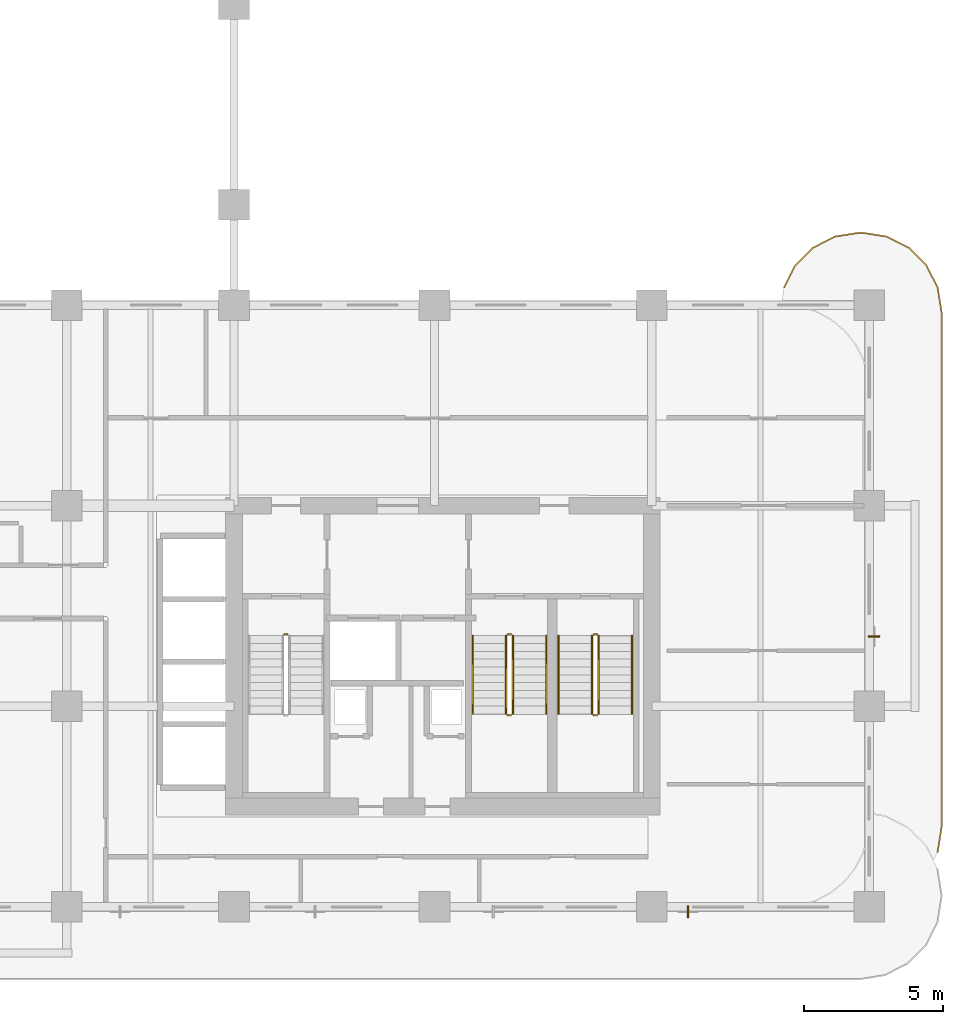
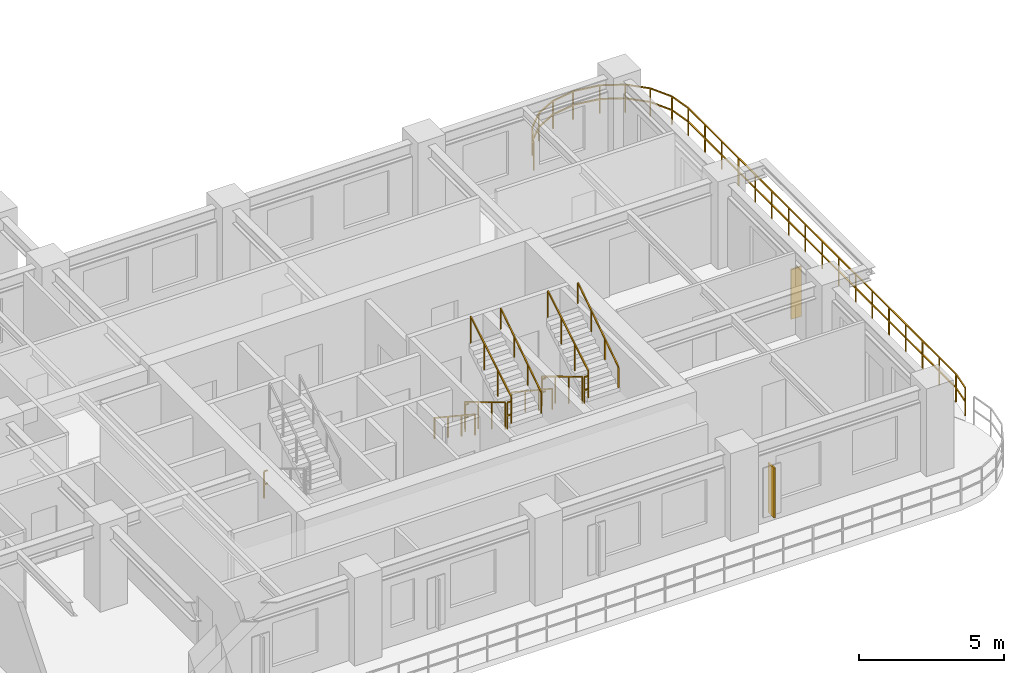
# One storey, part 17 of 19: 14 railings, 2 shading devices.
"""IFC4 building model written with IfcOpenShell, lengths in metres."""

from ifc_helpers import new_model, si_unit, derived_unit, direction, frame, origin, origin_2d, place, context, subcontext, project, spatial, rectangle, extrude, source, transform, mapped, material, layer, layer_set, type_object, type_shapes, element, save


model = new_model("IFC4")

# Units and contexts
model_context = context("Model", 3, precision=1e-05, world=origin(), true_north=direction((0.0, 1.0)))
body_context = subcontext(model_context, "Body", "Model", "MODEL_VIEW")
ifc_project = project(units=[si_unit("LENGTHUNIT", "METRE"), si_unit("AREAUNIT", "SQUARE_METRE"), si_unit("VOLUMEUNIT", "CUBIC_METRE"), si_unit("PLANEANGLEUNIT", "RADIAN"), si_unit("MASSUNIT", "GRAM", prefix="KILO"), si_unit("THERMODYNAMICTEMPERATUREUNIT", "KELVIN"), si_unit("POWERUNIT", "WATT"), derived_unit("THERMALTRANSMITTANCEUNIT", [(si_unit("POWERUNIT", "WATT"), 1), (si_unit("AREAUNIT", "SQUARE_METRE"), -1), (si_unit("THERMODYNAMICTEMPERATUREUNIT", "KELVIN"), -1)])], contexts=[model_context])

# Site, building, storey
site_placement = place(None, origin())
site = spatial("IfcSite", under=ifc_project, at=site_placement, CompositionType="ELEMENT")
building_placement = place(site_placement, origin())
building = spatial("IfcBuilding", under=site, at=building_placement, Name="Zahravan Archway Hotel and Residences", CompositionType="ELEMENT")
storey_placement = place(building_placement, frame((0.0, 0.0, 54.60009765625)))
storey = spatial("IfcBuildingStorey", under=building, at=storey_placement, Name="L12", CompositionType="ELEMENT", Elevation=54.60009765625)

# Railings
ifc_material_1 = material(Name="Bronze & Laminated Glass Balustrade", Category="glass")
railing_type_1 = type_object("IfcRailingType", Name="RL-BAL-1200", PredefinedType="BALUSTRADE", material=ifc_material_1)
railing_1_placement = place(storey_placement, frame((54.53955078125, 22.230712890625, 0.0)))
element("IfcRailing", 1, at=railing_1_placement, inside=storey, type_object=railing_type_1, Name="L12 Balustrade RL-SLB-BAL-L12-EA-1", PredefinedType="BALUSTRADE", context=body_context, shape_type="SweptSolid", body=[
    extrude(rectangle(XDim=0.048095703125, YDim=0.048095703125, at=origin_2d()), frame((0.0, 0.0, 1.17578125), z_axis=(0.453991409995, 0.891006060389, 0.0), x_axis=(-0.891006060389, 0.453991409995, 0.0)), (0.0, 0.0, 1.0), 0.8916015625),
    extrude(rectangle(XDim=0.048095703125, YDim=0.048095703125, at=origin_2d()), frame((0.0, 0.0, 0.60009765625), z_axis=(0.453991409995, 0.891006060389, 0.0), x_axis=(-0.891006060389, 0.453991409995, 0.0)), (0.0, 0.0, 1.0), 0.8916015625),
    extrude(rectangle(XDim=0.048095703125, YDim=0.048095703125, at=origin_2d()), frame((0.40478515625, 0.79443359375, 1.17578125), z_axis=(0.706969864397, 0.70724367147, 0.0), x_axis=(-0.70724367147, 0.706969864397, 0.0)), (0.0, 0.0, 1.0), 0.8916015625),
    extrude(rectangle(XDim=0.048095703125, YDim=0.048095703125, at=origin_2d()), frame((0.40478515625, 0.79443359375, 0.60009765625), z_axis=(0.706969864397, 0.70724367147, 0.0), x_axis=(-0.70724367147, 0.706969864397, 0.0)), (0.0, 0.0, 1.0), 0.8916015625),
    extrude(rectangle(XDim=0.048095703125, YDim=0.048095703125, at=origin_2d()), frame((1.03515625, 1.425048828125, 1.17578125), z_axis=(0.891062476022, 0.45388067135, 0.0), x_axis=(-0.45388067135, 0.891062476022, 0.0)), (0.0, 0.0, 1.0), 0.891845703125),
    extrude(rectangle(XDim=0.048095703125, YDim=0.048095703125, at=origin_2d()), frame((1.03515625, 1.425048828125, 0.60009765625), z_axis=(0.891062476022, 0.45388067135, 0.0), x_axis=(-0.45388067135, 0.891062476022, 0.0)), (0.0, 0.0, 1.0), 0.891845703125),
    extrude(rectangle(XDim=0.048095703125, YDim=0.048095703125, at=origin_2d()), frame((1.829833984375, 1.829833984375, 1.17578125), z_axis=(0.987700720307, 0.156356282588, 0.0), x_axis=(-0.156356282588, 0.987700720307, 0.0)), (0.0, 0.0, 1.0), 0.8916015625),
    extrude(rectangle(XDim=0.048095703125, YDim=0.048095703125, at=origin_2d()), frame((1.829833984375, 1.829833984375, 0.60009765625), z_axis=(0.987700720307, 0.156356282588, 0.0), x_axis=(-0.156356282588, 0.987700720307, 0.0)), (0.0, 0.0, 1.0), 0.8916015625),
    extrude(rectangle(XDim=0.048095703125, YDim=0.048095703125, at=origin_2d()), frame((2.71044921875, 1.96923828125, 1.17578125), z_axis=(1.0, 0.0, 0.0), x_axis=(0.0, 1.0, 0.0)), (0.0, 0.0, 1.0), 0.10009765625),
    extrude(rectangle(XDim=0.048095703125, YDim=0.048095703125, at=origin_2d()), frame((2.71044921875, 1.96923828125, 0.60009765625), z_axis=(1.0, 0.0, 0.0), x_axis=(0.0, 1.0, 0.0)), (0.0, 0.0, 1.0), 0.10009765625),
    extrude(rectangle(XDim=0.048095703125, YDim=0.048095703125, at=origin_2d()), frame((2.810546875, 1.96923828125, 1.17578125), z_axis=(0.987700720307, -0.156356282588, 0.0), x_axis=(0.156356282588, 0.987700720307, 0.0)), (0.0, 0.0, 1.0), 0.8916015625),
    extrude(rectangle(XDim=0.048095703125, YDim=0.048095703125, at=origin_2d()), frame((2.810546875, 1.96923828125, 0.60009765625), z_axis=(0.987700720307, -0.156356282588, 0.0), x_axis=(0.156356282588, 0.987700720307, 0.0)), (0.0, 0.0, 1.0), 0.8916015625),
    extrude(rectangle(XDim=0.048095703125, YDim=0.048095703125, at=origin_2d()), frame((3.691162109375, 1.829833984375, 1.17578125), z_axis=(0.891006060389, -0.453991409995, 0.0), x_axis=(0.453991409995, 0.891006060389, 0.0)), (0.0, 0.0, 1.0), 0.8916015625),
    extrude(rectangle(XDim=0.048095703125, YDim=0.048095703125, at=origin_2d()), frame((3.691162109375, 1.829833984375, 0.60009765625), z_axis=(0.891006060389, -0.453991409995, 0.0), x_axis=(0.453991409995, 0.891006060389, 0.0)), (0.0, 0.0, 1.0), 0.8916015625),
    extrude(rectangle(XDim=0.048095703125, YDim=0.048095703125, at=origin_2d()), frame((4.485595703125, 1.425048828125, 1.17578125), z_axis=(0.707106781187, -0.707106781187, 0.0), x_axis=(0.707106781187, 0.707106781187, 0.0)), (0.0, 0.0, 1.0), 0.891845703125),
    extrude(rectangle(XDim=0.048095703125, YDim=0.048095703125, at=origin_2d()), frame((4.485595703125, 1.425048828125, 0.60009765625), z_axis=(0.707106781187, -0.707106781187, 0.0), x_axis=(0.707106781187, 0.707106781187, 0.0)), (0.0, 0.0, 1.0), 0.891845703125),
    extrude(rectangle(XDim=0.048095703125, YDim=0.048095703125, at=origin_2d()), frame((5.1162109375, 0.79443359375, 1.17578125), z_axis=(0.453991409995, -0.891006060389, 0.0), x_axis=(0.891006060389, 0.453991409995, 0.0)), (0.0, 0.0, 1.0), 0.8916015625),
    extrude(rectangle(XDim=0.048095703125, YDim=0.048095703125, at=origin_2d()), frame((5.1162109375, 0.79443359375, 0.60009765625), z_axis=(0.453991409995, -0.891006060389, 0.0), x_axis=(0.891006060389, 0.453991409995, 0.0)), (0.0, 0.0, 1.0), 0.8916015625),
    extrude(rectangle(XDim=0.048095703125, YDim=0.048095703125, at=origin_2d()), frame((5.52099609375, 0.0, 1.17578125), z_axis=(0.156356282588, -0.987700720307, 0.0), x_axis=(0.987700720307, 0.156356282588, 0.0)), (0.0, 0.0, 1.0), 0.8916015625),
    extrude(rectangle(XDim=0.048095703125, YDim=0.048095703125, at=origin_2d()), frame((5.52099609375, 0.0, 0.60009765625), z_axis=(0.156356282588, -0.987700720307, 0.0), x_axis=(0.987700720307, 0.156356282588, 0.0)), (0.0, 0.0, 1.0), 0.8916015625),
    extrude(rectangle(XDim=0.048095703125, YDim=0.048095703125, at=origin_2d()), frame((5.660400390625, -0.880615234375, 1.17578125), z_axis=(0.0, -1.0, 0.0), x_axis=(1.0, 0.0, 0.0)), (0.0, 0.0, 1.0), 18.5),
    extrude(rectangle(XDim=0.048095703125, YDim=0.048095703125, at=origin_2d()), frame((5.660400390625, -0.880615234375, 0.60009765625), z_axis=(0.0, -1.0, 0.0), x_axis=(1.0, 0.0, 0.0)), (0.0, 0.0, 1.0), 18.5),
    extrude(rectangle(XDim=0.048095703125, YDim=0.048095703125, at=origin_2d()), frame((5.660400390625, -19.380615234375, 1.17578125), z_axis=(-0.156314005608, -0.987707411965, 0.0), x_axis=(0.987707411965, -0.156314005608, 0.0)), (0.0, 0.0, 1.0), 0.891845703125),
    extrude(rectangle(XDim=0.048095703125, YDim=0.048095703125, at=origin_2d()), frame((5.660400390625, -19.380615234375, 0.60009765625), z_axis=(-0.156314005608, -0.987707411965, 0.0), x_axis=(0.987707411965, -0.156314005608, 0.0)), (0.0, 0.0, 1.0), 0.891845703125),
    extrude(rectangle(XDim=0.0419921875, YDim=0.0419921875, at=origin_2d()), origin(), (0.0, 0.0, 1.0), 1.15185546875),
    extrude(rectangle(XDim=0.0419921875, YDim=0.0419921875, at=origin_2d()), frame((0.40478515625, 0.79443359375, 0.0)), (0.0, 0.0, 1.0), 1.15185546875),
    extrude(rectangle(XDim=0.0419921875, YDim=0.0419921875, at=origin_2d()), frame((1.03515625, 1.425048828125, 0.0)), (0.0, 0.0, 1.0), 1.15185546875),
    extrude(rectangle(XDim=0.0419921875, YDim=0.0419921875, at=origin_2d()), frame((1.829833984375, 1.829833984375, 0.0)), (0.0, 0.0, 1.0), 1.15185546875),
    extrude(rectangle(XDim=0.0419921875, YDim=0.0419921875, at=origin_2d()), frame((2.71044921875, 1.96923828125, 0.0)), (0.0, 0.0, 1.0), 1.15185546875),
    extrude(rectangle(XDim=0.0419921875, YDim=0.0419921875, at=origin_2d()), frame((3.691162109375, 1.829833984375, 0.0)), (0.0, 0.0, 1.0), 1.15185546875),
    extrude(rectangle(XDim=0.0419921875, YDim=0.0419921875, at=origin_2d()), frame((4.485595703125, 1.425048828125, 0.0)), (0.0, 0.0, 1.0), 1.15185546875),
    extrude(rectangle(XDim=0.0419921875, YDim=0.0419921875, at=origin_2d()), frame((5.1162109375, 0.79443359375, 0.0)), (0.0, 0.0, 1.0), 1.15185546875),
    extrude(rectangle(XDim=0.0419921875, YDim=0.0419921875, at=origin_2d()), frame((5.52099609375, 0.0, 0.0)), (0.0, 0.0, 1.0), 1.15185546875),
    extrude(rectangle(XDim=0.0419921875, YDim=0.0419921875, at=origin_2d()), frame((5.660400390625, -0.880615234375, 0.0)), (0.0, 0.0, 1.0), 1.15185546875),
    extrude(rectangle(XDim=0.0419921875, YDim=0.0419921875, at=origin_2d()), frame((5.660400390625, -2.036865234375, 0.0)), (0.0, 0.0, 1.0), 1.15185546875),
    extrude(rectangle(XDim=0.0419921875, YDim=0.0419921875, at=origin_2d()), frame((5.660400390625, -3.193115234375, 0.0)), (0.0, 0.0, 1.0), 1.15185546875),
    extrude(rectangle(XDim=0.0419921875, YDim=0.0419921875, at=origin_2d()), frame((5.660400390625, -4.349365234375, 0.0)), (0.0, 0.0, 1.0), 1.15185546875),
    extrude(rectangle(XDim=0.0419921875, YDim=0.0419921875, at=origin_2d()), frame((5.660400390625, -5.505615234375, 0.0)), (0.0, 0.0, 1.0), 1.15185546875),
    extrude(rectangle(XDim=0.0419921875, YDim=0.0419921875, at=origin_2d()), frame((5.660400390625, -6.661865234375, 0.0)), (0.0, 0.0, 1.0), 1.15185546875),
    extrude(rectangle(XDim=0.0419921875, YDim=0.0419921875, at=origin_2d()), frame((5.660400390625, -7.818115234375, 0.0)), (0.0, 0.0, 1.0), 1.15185546875),
    extrude(rectangle(XDim=0.0419921875, YDim=0.0419921875, at=origin_2d()), frame((5.660400390625, -8.974365234375, 0.0)), (0.0, 0.0, 1.0), 1.15185546875),
    extrude(rectangle(XDim=0.0419921875, YDim=0.0419921875, at=origin_2d()), frame((5.660400390625, -10.130615234375, 0.0)), (0.0, 0.0, 1.0), 1.15185546875),
    extrude(rectangle(XDim=0.0419921875, YDim=0.0419921875, at=origin_2d()), frame((5.660400390625, -11.286865234375, 0.0)), (0.0, 0.0, 1.0), 1.15185546875),
    extrude(rectangle(XDim=0.0419921875, YDim=0.0419921875, at=origin_2d()), frame((5.660400390625, -12.443115234375, 0.0)), (0.0, 0.0, 1.0), 1.15185546875),
    extrude(rectangle(XDim=0.0419921875, YDim=0.0419921875, at=origin_2d()), frame((5.660400390625, -13.599365234375, 0.0)), (0.0, 0.0, 1.0), 1.15185546875),
    extrude(rectangle(XDim=0.0419921875, YDim=0.0419921875, at=origin_2d()), frame((5.660400390625, -14.755615234375, 0.0)), (0.0, 0.0, 1.0), 1.15185546875),
    extrude(rectangle(XDim=0.0419921875, YDim=0.0419921875, at=origin_2d()), frame((5.660400390625, -15.911865234375, 0.0)), (0.0, 0.0, 1.0), 1.15185546875),
    extrude(rectangle(XDim=0.0419921875, YDim=0.0419921875, at=origin_2d()), frame((5.660400390625, -17.068115234375, 0.0)), (0.0, 0.0, 1.0), 1.15185546875),
    extrude(rectangle(XDim=0.0419921875, YDim=0.0419921875, at=origin_2d()), frame((5.660400390625, -18.224365234375, 0.0)), (0.0, 0.0, 1.0), 1.15185546875),
    extrude(rectangle(XDim=0.0419921875, YDim=0.0419921875, at=origin_2d()), frame((5.660400390625, -19.380615234375, 0.0)), (0.0, 0.0, 1.0), 1.15185546875),
    extrude(rectangle(XDim=0.0419921875, YDim=0.0419921875, at=origin_2d()), frame((5.52099609375, -20.261474609375, 0.0)), (0.0, 0.0, 1.0), 1.15185546875),
])
ifc_material_2 = material(Name="Painted Tubular Steel", Category="steel")
railing_type_2 = type_object("IfcRailingType", Name="RL-STG-1150", PredefinedType="GUARDRAIL", material=ifc_material_2)
railing_2_placement = place(storey_placement, frame((36.60009765625, 9.780029296875, 0.0)))
element("IfcRailing", 2, at=railing_2_placement, inside=storey, type_object=railing_type_2, Name="L12 ST-A1 stair guard 4", PredefinedType="GUARDRAIL", context=body_context, shape_type="SweptSolid", body=[
    extrude(rectangle(XDim=0.048095703125, YDim=0.048095703125, at=origin_2d()), frame((0.0, 0.0, 1.1259765625), z_axis=(1.0, 0.0, 0.0), x_axis=(0.0, 1.0, 0.0)), (0.0, 0.0, 1.0), 0.139892578125),
    extrude(rectangle(XDim=0.048095703125, YDim=0.048095703125, at=origin_2d()), frame((0.0, 0.0, 0.574951171875), z_axis=(1.0, 0.0, 0.0), x_axis=(0.0, 1.0, 0.0)), (0.0, 0.0, 1.0), 0.139892578125),
    extrude(rectangle(XDim=0.0419921875, YDim=0.0419921875, at=origin_2d()), origin(), (0.0, 0.0, 1.0), 1.101806640625),
])
railing_3_placement = place(storey_placement, frame((44.570068359375, 9.72998046875, 0.16796875)))
element("IfcRailing", 3, at=railing_3_placement, inside=storey, type_object=railing_type_2, Name="L12 ST-A2 stair guard 1", PredefinedType="GUARDRAIL", context=body_context, shape_type="SweptSolid", body=[
    extrude(rectangle(XDim=0.048095703125, YDim=0.048095703125, at=origin_2d()), frame((0.0, 0.0, 1.1259765625), z_axis=(0.0, -0.857242210791, 0.514913383045), x_axis=(1.0, 0.0, 0.0)), (0.0, 0.0, 1.0), 3.266357421875),
    extrude(rectangle(XDim=0.0419921875, YDim=0.0419921875, at=origin_2d()), origin(), (0.0, 0.0, 1.0), 1.101806640625),
    extrude(rectangle(XDim=0.0419921875, YDim=0.0419921875, at=origin_2d()), frame((0.0, -0.933349609375, 0.560546875)), (0.0, 0.0, 1.0), 1.101806640625),
    extrude(rectangle(XDim=0.0419921875, YDim=0.0419921875, at=origin_2d()), frame((0.0, -1.86669921875, 1.121337890625)), (0.0, 0.0, 1.0), 1.101806640625),
    extrude(rectangle(XDim=0.0419921875, YDim=0.0419921875, at=origin_2d()), frame((0.0, -2.800048828125, 1.681884765625)), (0.0, 0.0, 1.0), 1.101806640625),
])
railing_4_placement = place(storey_placement, frame((44.6201171875, 6.8798828125, 1.849853515625)))
element("IfcRailing", 4, at=railing_4_placement, inside=storey, type_object=railing_type_2, Name="L12 ST-A2 stair guard 2", PredefinedType="GUARDRAIL", context=body_context, shape_type="SweptSolid", body=[
    extrude(rectangle(XDim=0.048095703125, YDim=0.048095703125, at=origin_2d()), frame((0.0, 0.0, 1.1259765625), z_axis=(1.0, 0.0, 0.0), x_axis=(0.0, 1.0, 0.0)), (0.0, 0.0, 1.0), 0.139892578125),
    extrude(rectangle(XDim=0.048095703125, YDim=0.048095703125, at=origin_2d()), frame((0.0, 0.0, 0.574951171875), z_axis=(1.0, 0.0, 0.0), x_axis=(0.0, 1.0, 0.0)), (0.0, 0.0, 1.0), 0.139892578125),
    extrude(rectangle(XDim=0.0419921875, YDim=0.0419921875, at=origin_2d()), origin(), (0.0, 0.0, 1.0), 1.101806640625),
])
railing_5_placement = place(storey_placement, frame((44.81005859375, 6.929931640625, 2.01806640625)))
element("IfcRailing", 5, at=railing_5_placement, inside=storey, type_object=railing_type_2, Name="L12 ST-A2 stair guard 3", PredefinedType="GUARDRAIL", context=body_context, shape_type="SweptSolid", body=[
    extrude(rectangle(XDim=0.048095703125, YDim=0.048095703125, at=origin_2d()), frame((0.0, 0.0, 1.1259765625), z_axis=(0.0, 0.857242210791, 0.514913383045), x_axis=(-1.0, 0.0, 0.0)), (0.0, 0.0, 1.0), 3.266357421875),
    extrude(rectangle(XDim=0.0419921875, YDim=0.0419921875, at=origin_2d()), origin(), (0.0, 0.0, 1.0), 1.101806640625),
    extrude(rectangle(XDim=0.0419921875, YDim=0.0419921875, at=origin_2d()), frame((0.0, 0.933349609375, 0.560546875)), (0.0, 0.0, 1.0), 1.101806640625),
    extrude(rectangle(XDim=0.0419921875, YDim=0.0419921875, at=origin_2d()), frame((0.0, 1.86669921875, 1.121337890625)), (0.0, 0.0, 1.0), 1.101806640625),
    extrude(rectangle(XDim=0.0419921875, YDim=0.0419921875, at=origin_2d()), frame((0.0, 2.800048828125, 1.681884765625)), (0.0, 0.0, 1.0), 1.101806640625),
])
railing_6_placement = place(storey_placement, frame((44.6201171875, 9.780029296875, 0.0)))
element("IfcRailing", 6, at=railing_6_placement, inside=storey, type_object=railing_type_2, Name="L12 ST-A2 stair guard 4", PredefinedType="GUARDRAIL", context=body_context, shape_type="SweptSolid", body=[
    extrude(rectangle(XDim=0.048095703125, YDim=0.048095703125, at=origin_2d()), frame((0.0, 0.0, 1.1259765625), z_axis=(1.0, 0.0, 0.0), x_axis=(0.0, 1.0, 0.0)), (0.0, 0.0, 1.0), 0.139892578125),
    extrude(rectangle(XDim=0.048095703125, YDim=0.048095703125, at=origin_2d()), frame((0.0, 0.0, 0.574951171875), z_axis=(1.0, 0.0, 0.0), x_axis=(0.0, 1.0, 0.0)), (0.0, 0.0, 1.0), 0.139892578125),
    extrude(rectangle(XDim=0.0419921875, YDim=0.0419921875, at=origin_2d()), origin(), (0.0, 0.0, 1.0), 1.101806640625),
])
railing_7_placement = place(storey_placement, frame((47.64990234375, 9.72998046875, 0.16796875)))
element("IfcRailing", 7, at=railing_7_placement, inside=storey, type_object=railing_type_2, Name="L12 ST-A3 stair guard 1", PredefinedType="GUARDRAIL", context=body_context, shape_type="SweptSolid", body=[
    extrude(rectangle(XDim=0.048095703125, YDim=0.048095703125, at=origin_2d()), frame((0.0, 0.0, 1.1259765625), z_axis=(0.0, -0.857242210791, 0.514913383045), x_axis=(1.0, 0.0, 0.0)), (0.0, 0.0, 1.0), 3.266357421875),
    extrude(rectangle(XDim=0.0419921875, YDim=0.0419921875, at=origin_2d()), origin(), (0.0, 0.0, 1.0), 1.101806640625),
    extrude(rectangle(XDim=0.0419921875, YDim=0.0419921875, at=origin_2d()), frame((0.0, -0.933349609375, 0.560546875)), (0.0, 0.0, 1.0), 1.101806640625),
    extrude(rectangle(XDim=0.0419921875, YDim=0.0419921875, at=origin_2d()), frame((0.0, -1.86669921875, 1.121337890625)), (0.0, 0.0, 1.0), 1.101806640625),
    extrude(rectangle(XDim=0.0419921875, YDim=0.0419921875, at=origin_2d()), frame((0.0, -2.800048828125, 1.681884765625)), (0.0, 0.0, 1.0), 1.101806640625),
])
railing_8_placement = place(storey_placement, frame((47.699951171875, 6.8798828125, 1.849853515625)))
element("IfcRailing", 8, at=railing_8_placement, inside=storey, type_object=railing_type_2, Name="L12 ST-A3 stair guard 2", PredefinedType="GUARDRAIL", context=body_context, shape_type="SweptSolid", body=[
    extrude(rectangle(XDim=0.048095703125, YDim=0.048095703125, at=origin_2d()), frame((0.0, 0.0, 1.1259765625), z_axis=(1.0, 0.0, 0.0), x_axis=(0.0, 1.0, 0.0)), (0.0, 0.0, 1.0), 0.14013671875),
    extrude(rectangle(XDim=0.048095703125, YDim=0.048095703125, at=origin_2d()), frame((0.0, 0.0, 0.574951171875), z_axis=(1.0, 0.0, 0.0), x_axis=(0.0, 1.0, 0.0)), (0.0, 0.0, 1.0), 0.14013671875),
    extrude(rectangle(XDim=0.0419921875, YDim=0.0419921875, at=origin_2d()), origin(), (0.0, 0.0, 1.0), 1.101806640625),
])
railing_9_placement = place(storey_placement, frame((47.889892578125, 6.929931640625, 2.01806640625)))
element("IfcRailing", 9, at=railing_9_placement, inside=storey, type_object=railing_type_2, Name="L12 ST-A3 stair guard 3", PredefinedType="GUARDRAIL", context=body_context, shape_type="SweptSolid", body=[
    extrude(rectangle(XDim=0.048095703125, YDim=0.048095703125, at=origin_2d()), frame((0.0, 0.0, 1.1259765625), z_axis=(0.0, 0.857242210791, 0.514913383045), x_axis=(-1.0, 0.0, 0.0)), (0.0, 0.0, 1.0), 3.266357421875),
    extrude(rectangle(XDim=0.0419921875, YDim=0.0419921875, at=origin_2d()), origin(), (0.0, 0.0, 1.0), 1.101806640625),
    extrude(rectangle(XDim=0.0419921875, YDim=0.0419921875, at=origin_2d()), frame((0.0, 0.933349609375, 0.560546875)), (0.0, 0.0, 1.0), 1.101806640625),
    extrude(rectangle(XDim=0.0419921875, YDim=0.0419921875, at=origin_2d()), frame((0.0, 1.86669921875, 1.121337890625)), (0.0, 0.0, 1.0), 1.101806640625),
    extrude(rectangle(XDim=0.0419921875, YDim=0.0419921875, at=origin_2d()), frame((0.0, 2.800048828125, 1.681884765625)), (0.0, 0.0, 1.0), 1.101806640625),
])
railing_10_placement = place(storey_placement, frame((47.699951171875, 9.780029296875, 0.0)))
element("IfcRailing", 10, at=railing_10_placement, inside=storey, type_object=railing_type_2, Name="L12 ST-A3 stair guard 4", PredefinedType="GUARDRAIL", context=body_context, shape_type="SweptSolid", body=[
    extrude(rectangle(XDim=0.048095703125, YDim=0.048095703125, at=origin_2d()), frame((0.0, 0.0, 1.1259765625), z_axis=(1.0, 0.0, 0.0), x_axis=(0.0, 1.0, 0.0)), (0.0, 0.0, 1.0), 0.14013671875),
    extrude(rectangle(XDim=0.048095703125, YDim=0.048095703125, at=origin_2d()), frame((0.0, 0.0, 0.574951171875), z_axis=(1.0, 0.0, 0.0), x_axis=(0.0, 1.0, 0.0)), (0.0, 0.0, 1.0), 0.14013671875),
    extrude(rectangle(XDim=0.0419921875, YDim=0.0419921875, at=origin_2d()), origin(), (0.0, 0.0, 1.0), 1.101806640625),
])
ifc_material_3 = material(Name="Brushed Stainless Steel", Category="steel")
railing_type_3 = type_object("IfcRailingType", Name="RL-STH-900", PredefinedType="HANDRAIL", material=ifc_material_3)
railing_11_placement = place(storey_placement, frame((43.3701171875, 9.72998046875, 0.16796875)))
element("IfcRailing", 11, at=railing_11_placement, inside=storey, type_object=railing_type_3, Name="L12 ST-A2 stair handrail 1", PredefinedType="HANDRAIL", context=body_context, shape_type="SweptSolid", body=[
    extrude(rectangle(XDim=0.048095703125, YDim=0.048095703125, at=origin_2d()), frame((0.0, 0.0, 0.8759765625), z_axis=(0.0, -0.834326358476, 0.551270829586), x_axis=(1.0, 0.0, 0.0)), (0.0, 0.0, 1.0), 3.35595703125),
    extrude(rectangle(XDim=0.0419921875, YDim=0.0419921875, at=origin_2d()), origin(), (0.0, 0.0, 1.0), 0.851806640625),
    extrude(rectangle(XDim=0.0419921875, YDim=0.0419921875, at=origin_2d()), frame((0.0, -0.933349609375, 0.61669921875)), (0.0, 0.0, 1.0), 0.851806640625),
    extrude(rectangle(XDim=0.0419921875, YDim=0.0419921875, at=origin_2d()), frame((0.0, -1.86669921875, 1.2333984375)), (0.0, 0.0, 1.0), 0.851806640625),
    extrude(rectangle(XDim=0.0419921875, YDim=0.0419921875, at=origin_2d()), frame((0.0, -2.800048828125, 1.85009765625)), (0.0, 0.0, 1.0), 0.851806640625),
])
railing_12_placement = place(storey_placement, frame((46.010009765625, 6.929931640625, 2.01806640625)))
element("IfcRailing", 12, at=railing_12_placement, inside=storey, type_object=railing_type_3, Name="L12 ST-A2 stair handrail 2", PredefinedType="HANDRAIL", context=body_context, shape_type="SweptSolid", body=[
    extrude(rectangle(XDim=0.048095703125, YDim=0.048095703125, at=origin_2d()), frame((0.0, 0.0, 0.8759765625), z_axis=(0.0, 0.834326358476, 0.551270829586), x_axis=(-1.0, 0.0, 0.0)), (0.0, 0.0, 1.0), 3.35595703125),
    extrude(rectangle(XDim=0.0419921875, YDim=0.0419921875, at=origin_2d()), origin(), (0.0, 0.0, 1.0), 0.851806640625),
    extrude(rectangle(XDim=0.0419921875, YDim=0.0419921875, at=origin_2d()), frame((0.0, 0.933349609375, 0.61669921875)), (0.0, 0.0, 1.0), 0.851806640625),
    extrude(rectangle(XDim=0.0419921875, YDim=0.0419921875, at=origin_2d()), frame((0.0, 1.86669921875, 1.2333984375)), (0.0, 0.0, 1.0), 0.851806640625),
    extrude(rectangle(XDim=0.0419921875, YDim=0.0419921875, at=origin_2d()), frame((0.0, 2.800048828125, 1.85009765625)), (0.0, 0.0, 1.0), 0.851806640625),
])
railing_13_placement = place(storey_placement, frame((46.449951171875, 9.72998046875, 0.16796875)))
element("IfcRailing", 13, at=railing_13_placement, inside=storey, type_object=railing_type_3, Name="L12 ST-A3 stair handrail 1", PredefinedType="HANDRAIL", context=body_context, shape_type="SweptSolid", body=[
    extrude(rectangle(XDim=0.048095703125, YDim=0.048095703125, at=origin_2d()), frame((0.0, 0.0, 0.8759765625), z_axis=(0.0, -0.834326358476, 0.551270829586), x_axis=(1.0, 0.0, 0.0)), (0.0, 0.0, 1.0), 3.35595703125),
    extrude(rectangle(XDim=0.0419921875, YDim=0.0419921875, at=origin_2d()), origin(), (0.0, 0.0, 1.0), 0.851806640625),
    extrude(rectangle(XDim=0.0419921875, YDim=0.0419921875, at=origin_2d()), frame((0.0, -0.933349609375, 0.61669921875)), (0.0, 0.0, 1.0), 0.851806640625),
    extrude(rectangle(XDim=0.0419921875, YDim=0.0419921875, at=origin_2d()), frame((0.0, -1.86669921875, 1.2333984375)), (0.0, 0.0, 1.0), 0.851806640625),
    extrude(rectangle(XDim=0.0419921875, YDim=0.0419921875, at=origin_2d()), frame((0.0, -2.800048828125, 1.85009765625)), (0.0, 0.0, 1.0), 0.851806640625),
])
railing_14_placement = place(storey_placement, frame((49.090087890625, 6.929931640625, 2.01806640625)))
element("IfcRailing", 14, at=railing_14_placement, inside=storey, type_object=railing_type_3, Name="L12 ST-A3 stair handrail 2", PredefinedType="HANDRAIL", context=body_context, shape_type="SweptSolid", body=[
    extrude(rectangle(XDim=0.048095703125, YDim=0.048095703125, at=origin_2d()), frame((0.0, 0.0, 0.8759765625), z_axis=(0.0, 0.834326358476, 0.551270829586), x_axis=(-1.0, 0.0, 0.0)), (0.0, 0.0, 1.0), 3.35595703125),
    extrude(rectangle(XDim=0.0419921875, YDim=0.0419921875, at=origin_2d()), origin(), (0.0, 0.0, 1.0), 0.851806640625),
    extrude(rectangle(XDim=0.0419921875, YDim=0.0419921875, at=origin_2d()), frame((0.0, 0.933349609375, 0.61669921875)), (0.0, 0.0, 1.0), 0.851806640625),
    extrude(rectangle(XDim=0.0419921875, YDim=0.0419921875, at=origin_2d()), frame((0.0, 1.86669921875, 1.2333984375)), (0.0, 0.0, 1.0), 0.851806640625),
    extrude(rectangle(XDim=0.0419921875, YDim=0.0419921875, at=origin_2d()), frame((0.0, 2.800048828125, 1.85009765625)), (0.0, 0.0, 1.0), 0.851806640625),
])

# Shading devices
ifc_material_4 = material(Name="Terracotta & Bronze Solar Brise-Soleil", Category="masonry")
ifc_layer = layer(ifc_material_4, 0.06005859375, Name="Terracotta & Bronze Solar Brise-Soleil", Category="masonry")
ifc_layer_set = layer_set([ifc_layer], Name="Terracotta & Bronze Solar Brise-Soleil")
shading_device_type = type_object("IfcShadingDeviceType", Name="SHD-MASH-FIN", PredefinedType="JALOUSIE", material=ifc_layer_set)
shared_shape = source(origin(), body_context, "Body", "SweptSolid", [
    extrude(rectangle(XDim=0.06005859375, YDim=0.419921875, at=origin_2d()), origin(), (0.0, 0.0, 1.0), 2.10009765625),
])
type_shapes(shading_device_type, [shared_shape])
for number, where, z_axis, x_axis, name in (
    (15, (51.10009765625, -0.177978515625, 0.249755859375), (0.0, 0.0, 1.0), (1.0, 0.0, 0.0), "L12 Solar Mashrabiya Fin 05"),
    (16, (57.778076171875, 9.7080078125, 0.249755859375), (0.0, 0.0, 1.0), (0.0, 1.0, 0.0), "L12 Solar Mashrabiya Fin 06"),
):
    element("IfcShadingDevice", number, at=place(storey_placement, frame(where, z_axis=z_axis, x_axis=x_axis)), inside=storey, type_object=shading_device_type, Name=name, PredefinedType="JALOUSIE", context=body_context, shape_type="MappedRepresentation", body=[
        mapped(shared_shape, transform((0.0, 0.0, 0.0), scale=1.0)),
    ])

save(model, "model.ifc")
